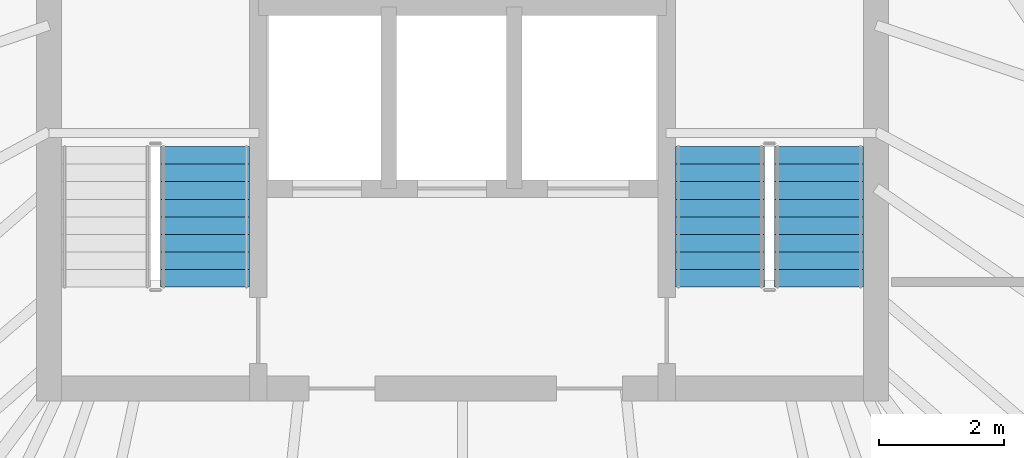
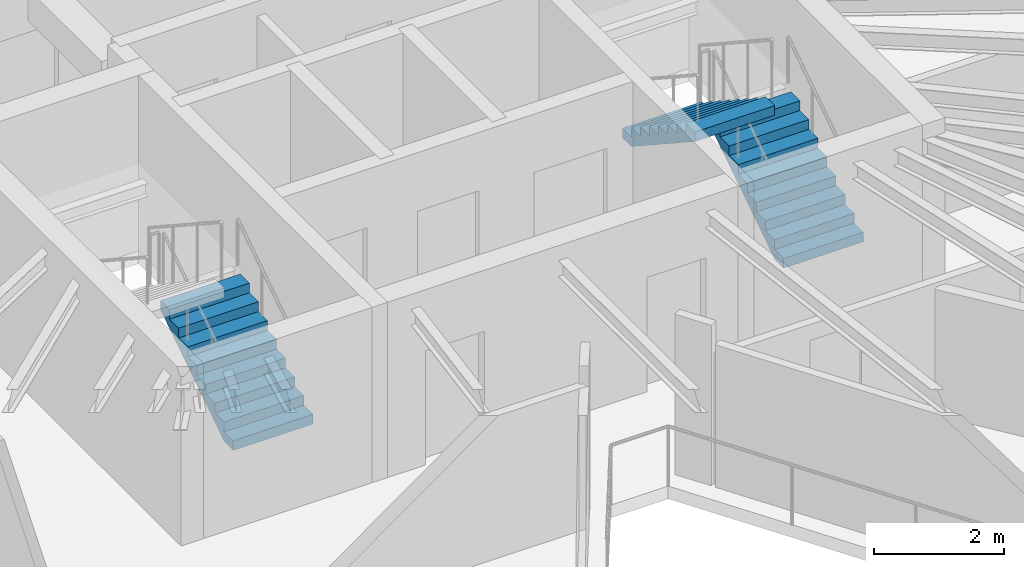
# One storey, part 27 of 30: 3 stair flights, 2 elements without a shape of their own.
"""IFC4 building model written with IfcOpenShell, lengths in metres."""

from ifc_helpers import new_model, si_unit, direction, frame, origin, place, context, subcontext, project, spatial, polyline, outline, extrude, material, type_object, element, aggregate, save


model = new_model("IFC4")

# Units and contexts
model_context = context("Model", 3, precision=1e-05, world=origin(), true_north=direction((0.0, 1.0)))
body_context = subcontext(model_context, "Body", "Model", "MODEL_VIEW")
ifc_project = project(units=[si_unit("LENGTHUNIT", "METRE"), si_unit("AREAUNIT", "SQUARE_METRE"), si_unit("VOLUMEUNIT", "CUBIC_METRE"), si_unit("PLANEANGLEUNIT", "RADIAN"), si_unit("MASSUNIT", "GRAM", prefix="KILO")], contexts=[model_context])

# Site, building, storey
site_placement = place(None, origin())
site = spatial("IfcSite", under=ifc_project, at=site_placement, CompositionType="ELEMENT")
building_placement = place(site_placement, origin())
building = spatial("IfcBuilding", under=site, at=building_placement, Name="Orvanel Arch Residences", CompositionType="ELEMENT")
storey_placement = place(building_placement, frame((0.0, 0.0, 143.0)))
storey = spatial("IfcBuildingStorey", under=building, at=storey_placement, Name="L40", CompositionType="ELEMENT", Elevation=143.0)

# Stair, stair flight
ifc_material = material(Name="Precast concrete N50 (50 MPa)", Category="concrete")
stair_type = type_object("IfcStairType", Name="STR-DOG-184", PredefinedType="USERDEFINED", material=ifc_material)
stair_1_placement = place(storey_placement, origin())
stair_1 = element("IfcStair", 1, at=stair_1_placement, inside=storey, type_object=stair_type, Name="L40 Fire-Isolated Core Exit Stair 1", ObjectType="TWO_RETURN_STAIR", PredefinedType="USERDEFINED")
stair_flight_type_1 = type_object("IfcStairFlightType", Name="SFL-C1-184", PredefinedType="STRAIGHT", material=ifc_material)
stair_flight_1_placement = place(storey_placement, frame((28.889892578125, 28.320068359375, 0.0), z_axis=(0.0, 0.0, 1.0), x_axis=(0.0, 1.0, 0.0)))
stair_flight_1 = element("IfcStairFlight", 2, at=stair_flight_1_placement, type_object=stair_flight_type_1, Name="ST-1 flight 1", NumberOfRisers=9, NumberOfTreads=8, PredefinedType="STRAIGHT", RiserHeight=0.183333333, TreadLength=0.28, context=body_context, shape_type="SweptSolid", body=[
    extrude(outline(polyline([(0.0, 0.0), (0.0, 0.183349609375), (0.280029296875, 0.183349609375), (0.280029296875, 0.36669921875), (0.56005859375, 0.36669921875), (0.56005859375, 0.550048828125), (0.840087890625, 0.550048828125), (0.840087890625, 0.7333984375), (1.1201171875, 0.7333984375), (1.1201171875, 0.916748046875), (1.39990234375, 0.916748046875), (1.39990234375, 1.10009765625), (1.679931640625, 1.10009765625), (1.679931640625, 1.283447265625), (1.9599609375, 1.283447265625), (1.9599609375, 1.466552734375), (2.239990234375, 1.466552734375), (2.239990234375, 1.64990234375), (2.239990234375, 1.28759765625), (0.273681640625, 0.0), (0.0, 0.0)])), frame((0.0, 0.7099609375, 0.0), z_axis=(0.0, -1.0, 0.0), x_axis=(1.0, 0.0, 0.0)), (0.0, 0.0, 1.0), 1.419921875),
])
aggregate(stair_1, [stair_flight_1])

# Stair, stair flights
stair_2_placement = place(storey_placement, origin())
stair_2 = element("IfcStair", 3, at=stair_2_placement, inside=storey, type_object=stair_type, Name="L40 Fire-Isolated Core Exit Stair 2", ObjectType="TWO_RETURN_STAIR", PredefinedType="USERDEFINED")
stair_flight_type_2 = type_object("IfcStairFlightType", Name="SFL-C2-184", PredefinedType="STRAIGHT", material=ifc_material)
stair_flight_2_placement = place(storey_placement, frame((38.68994140625, 28.320068359375, 0.0), z_axis=(0.0, 0.0, 1.0), x_axis=(0.0, 1.0, 0.0)))
stair_flight_2 = element("IfcStairFlight", 4, at=stair_flight_2_placement, type_object=stair_flight_type_2, Name="ST-2 flight 1", NumberOfRisers=9, NumberOfTreads=8, PredefinedType="STRAIGHT", RiserHeight=0.183333333, TreadLength=0.28, context=body_context, shape_type="SweptSolid", body=[
    extrude(outline(polyline([(0.0, 0.0), (0.0, 0.183349609375), (0.280029296875, 0.183349609375), (0.280029296875, 0.36669921875), (0.56005859375, 0.36669921875), (0.56005859375, 0.550048828125), (0.840087890625, 0.550048828125), (0.840087890625, 0.7333984375), (1.1201171875, 0.7333984375), (1.1201171875, 0.916748046875), (1.39990234375, 0.916748046875), (1.39990234375, 1.10009765625), (1.679931640625, 1.10009765625), (1.679931640625, 1.283447265625), (1.9599609375, 1.283447265625), (1.9599609375, 1.466552734375), (2.239990234375, 1.466552734375), (2.239990234375, 1.64990234375), (2.239990234375, 1.28759765625), (0.273681640625, 0.0), (0.0, 0.0)])), frame((0.0, 0.7099609375, 0.0), z_axis=(0.0, -1.0, 0.0), x_axis=(1.0, 0.0, 0.0)), (0.0, 0.0, 1.0), 1.419921875),
])
stair_flight_3_placement = place(storey_placement, frame((37.110107421875, 30.56005859375, 1.64990234375), z_axis=(0.0, 0.0, 1.0), x_axis=(0.0, -1.0, 0.0)))
stair_flight_3 = element("IfcStairFlight", 5, at=stair_flight_3_placement, type_object=stair_flight_type_2, Name="ST-2 flight 2", NumberOfRisers=9, NumberOfTreads=8, PredefinedType="STRAIGHT", RiserHeight=0.183333333, TreadLength=0.28, context=body_context, shape_type="SweptSolid", body=[
    extrude(outline(polyline([(0.0, 0.0), (0.0, 0.183349609375), (0.280029296875, 0.183349609375), (0.280029296875, 0.36669921875), (0.56005859375, 0.36669921875), (0.56005859375, 0.550048828125), (0.840087890625, 0.550048828125), (0.840087890625, 0.7333984375), (1.1201171875, 0.7333984375), (1.1201171875, 0.916748046875), (1.39990234375, 0.916748046875), (1.39990234375, 1.10009765625), (1.679931640625, 1.10009765625), (1.679931640625, 1.283447265625), (1.9599609375, 1.283447265625), (1.9599609375, 1.466552734375), (2.239990234375, 1.466552734375), (2.239990234375, 1.64990234375), (2.239990234375, 1.28759765625), (0.273681640625, 0.0), (0.0, 0.0)])), frame((0.0, 0.7099609375, 0.0), z_axis=(0.0, -1.0, 0.0), x_axis=(1.0, 0.0, 0.0)), (0.0, 0.0, 1.0), 1.419921875),
])
aggregate(stair_2, [stair_flight_2, stair_flight_3])

save(model, "model.ifc")
